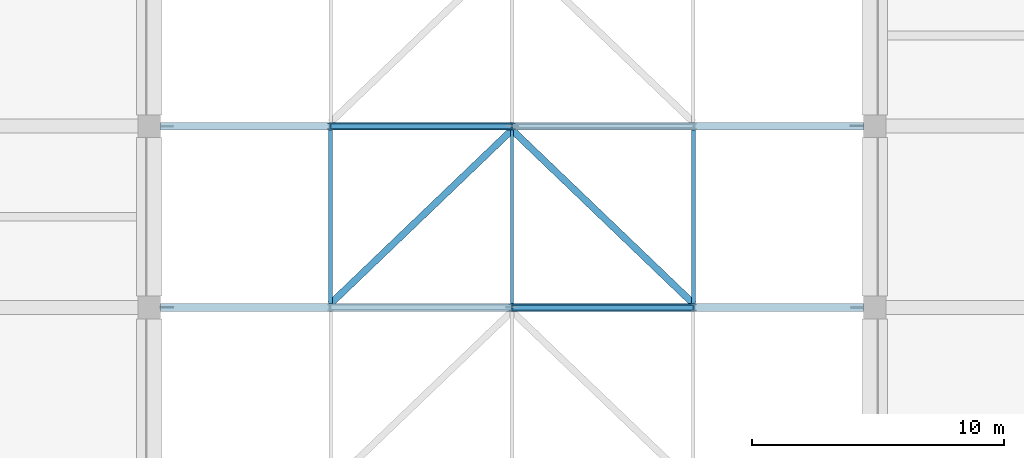
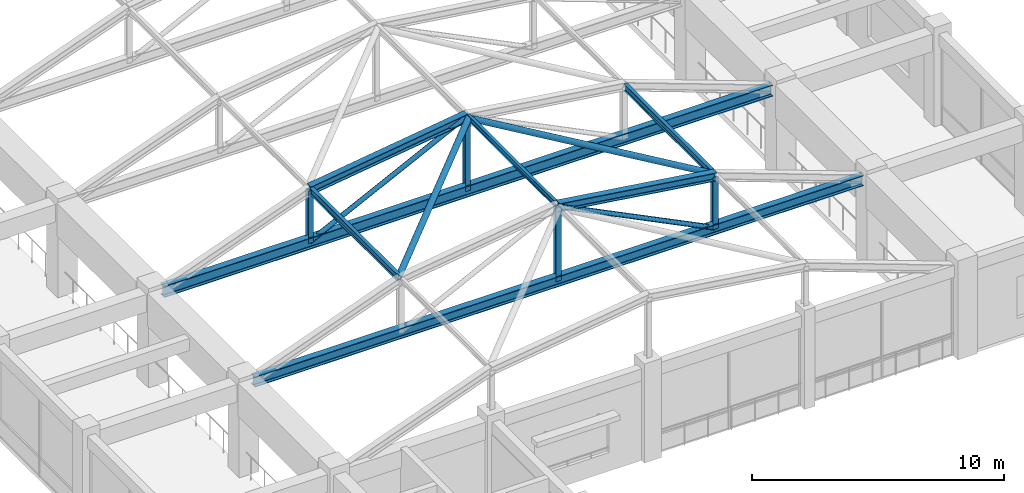
# One storey, part 37 of 75: 13 members, 2 beams.
"""IFC4 building model written with IfcOpenShell, lengths in metres."""

from ifc_helpers import new_model, si_unit, direction, frame, origin, origin_2d, place, context, subcontext, project, spatial, hollow_circle, i_section, extrude, material, material_profile, profile_set, type_object, element, save


model = new_model("IFC4")

# Units and contexts
model_context = context("Model", 3, precision=1e-05, world=origin(), true_north=direction((0.0, 1.0)))
body_context = subcontext(model_context, "Body", "Model", "MODEL_VIEW")
ifc_project = project(units=[si_unit("LENGTHUNIT", "METRE"), si_unit("AREAUNIT", "SQUARE_METRE"), si_unit("VOLUMEUNIT", "CUBIC_METRE"), si_unit("PLANEANGLEUNIT", "RADIAN"), si_unit("MASSUNIT", "GRAM", prefix="KILO")], contexts=[model_context])

# Site, building, storey
site_placement = place(None, origin())
site = spatial("IfcSite", under=ifc_project, at=site_placement, CompositionType="ELEMENT")
building_placement = place(site_placement, origin())
building = spatial("IfcBuilding", under=site, at=building_placement, Name="Cendaluz Park School", CompositionType="ELEMENT")
storey_placement = place(building_placement, frame((0.0, 0.0, 4.800048828125)))
storey = spatial("IfcBuildingStorey", under=building, at=storey_placement, Name="L01", CompositionType="ELEMENT", Elevation=4.800048828125)

# Beams
ifc_material = material(Name="Steel S355", Category="steel")
ifc_material_profile_1 = material_profile(ifc_material, i_section(OverallWidth=0.300048828125, OverallDepth=0.5, WebThickness=0.014892578125, FlangeThickness=0.028076171875, FilletRadius=0.027099609375, at=origin_2d()), Name="HEB 500", Category="steel")
ifc_profile_set_1 = profile_set([ifc_material_profile_1], Name="Steel S355")
beam_type_1 = type_object("IfcBeamType", Name="BM-ST01", PredefinedType="BEAM", material=ifc_profile_set_1)
beam_1_placement = place(storey_placement, frame((137.25, 64.800048828125, 4.14990234375), z_axis=(1.0, 0.0, 0.0), x_axis=(0.0, 1.0, 0.0)))
element("IfcBeam", 1, at=beam_1_placement, inside=storey, type_object=beam_type_1, Name="BM-L01-BMST01-0530", PredefinedType="BEAM", context=body_context, shape_type="SweptSolid", body=[
    extrude(i_section(OverallWidth=0.300048828125, OverallDepth=0.5, WebThickness=0.014892578125, FlangeThickness=0.028076171875, FilletRadius=0.027099609375, at=origin_2d()), origin(), (0.0, 0.0, 1.0), 27.89990234375),
])
ifc_material_profile_2 = material_profile(ifc_material, i_section(OverallWidth=0.300048828125, OverallDepth=0.550048828125, WebThickness=0.014892578125, FlangeThickness=0.029052734375, FilletRadius=0.027099609375, at=origin_2d()), Name="HEB 550", Category="steel")
ifc_profile_set_2 = profile_set([ifc_material_profile_2], Name="Steel S355")
beam_type_2 = type_object("IfcBeamType", Name="BM-ST11", PredefinedType="BEAM", material=ifc_profile_set_2)
beam_2_placement = place(storey_placement, frame((137.25, 72.0, 4.14990234375), z_axis=(1.0, 0.0, 0.0), x_axis=(0.0, 1.0, 0.0)))
element("IfcBeam", 2, at=beam_2_placement, inside=storey, type_object=beam_type_2, Name="BM-L01-BMST11-0531", PredefinedType="BEAM", context=body_context, shape_type="SweptSolid", body=[
    extrude(i_section(OverallWidth=0.300048828125, OverallDepth=0.550048828125, WebThickness=0.014892578125, FlangeThickness=0.029052734375, FilletRadius=0.027099609375, at=origin_2d()), origin(), (0.0, 0.0, 1.0), 27.89990234375),
])

# Members
ifc_material_profile_3 = material_profile(ifc_material, i_section(OverallWidth=0.300048828125, OverallDepth=0.39990234375, WebThickness=0.013916015625, FlangeThickness=0.02392578125, FilletRadius=0.027099609375, at=origin_2d()), Name="HEB 400", Category="steel")
ifc_profile_set_3 = profile_set([ifc_material_profile_3], Name="Steel S355")
member_type_1 = type_object("IfcMemberType", Name="MB-CH01", PredefinedType="CHORD", material=ifc_profile_set_3)
for number, where, z_axis, x_axis, name in (
    (3, (151.199951171875, 64.800048828125, 7.7099609375), (0.990113333567, 0.0, -0.140269692708), (0.0, 1.0, 0.0), "MB-L01-MBCH01-0097"),
    (4, (144.0, 72.0, 6.68994140625), (0.990113333567, 0.0, 0.140269692708), (0.0, 1.0, 0.0), "MB-L01-MBCH01-0105"),
):
    element("IfcMember", number, at=place(storey_placement, frame(where, z_axis=z_axis, x_axis=x_axis)), inside=storey, type_object=member_type_1, Name=name, PredefinedType="CHORD", context=body_context, shape_type="SweptSolid", body=[
        extrude(i_section(OverallWidth=0.300048828125, OverallDepth=0.39990234375, WebThickness=0.013916015625, FlangeThickness=0.02392578125, FilletRadius=0.027099609375, at=origin_2d()), origin(), (0.0, 0.0, 1.0), 7.271728515625),
    ])
ifc_material_profile_4 = material_profile(ifc_material, i_section(OverallWidth=0.135009765625, OverallDepth=0.27001953125, WebThickness=0.007080078125, FlangeThickness=0.010009765625, FilletRadius=0.014892578125, at=origin_2d()), Name="IPE 270", Category="steel")
ifc_profile_set_4 = profile_set([ifc_material_profile_4], Name="Steel S355")
member_type_2 = type_object("IfcMemberType", Name="MB-PR01", PredefinedType="PURLIN", material=ifc_profile_set_4)
member_1_placement = place(storey_placement, frame((151.199951171875, 64.949951171875, 7.764892578125), z_axis=(0.0, 1.0, 0.0), x_axis=(-1.0, 0.0, 0.0)))
element("IfcMember", 5, at=member_1_placement, inside=storey, type_object=member_type_2, Name="MB-L01-MBPR01-0153", PredefinedType="PURLIN", context=body_context, shape_type="SweptSolid", body=[
    extrude(i_section(OverallWidth=0.135009765625, OverallDepth=0.27001953125, WebThickness=0.007080078125, FlangeThickness=0.010009765625, FilletRadius=0.014892578125, at=origin_2d()), origin(), (0.0, 0.0, 1.0), 6.900146484375),
])
ifc_material_profile_5 = material_profile(ifc_material, i_section(OverallWidth=0.159912109375, OverallDepth=0.330078125, WebThickness=0.008056640625, FlangeThickness=0.011962890625, FilletRadius=0.01806640625, at=origin_2d()), Name="IPE 330", Category="steel")
ifc_profile_set_5 = profile_set([ifc_material_profile_5], Name="Steel S355")
member_type_3 = type_object("IfcMemberType", Name="MB-PR02", PredefinedType="PURLIN", material=ifc_profile_set_5)
for number, where, z_axis, x_axis, name in (
    (6, (144.0, 64.949951171875, 6.704833984375), (0.0, 1.0, 0.0), (-1.0, 0.0, 0.0), "MB-L01-MBPR02-0152"),
    (7, (158.39990234375, 64.949951171875, 6.704833984375), (0.0, 1.0, 0.0), (-1.0, 0.0, 0.0), "MB-L01-MBPR02-0154"),
):
    element("IfcMember", number, at=place(storey_placement, frame(where, z_axis=z_axis, x_axis=x_axis)), inside=storey, type_object=member_type_3, Name=name, PredefinedType="PURLIN", context=body_context, shape_type="SweptSolid", body=[
        extrude(i_section(OverallWidth=0.159912109375, OverallDepth=0.330078125, WebThickness=0.008056640625, FlangeThickness=0.011962890625, FilletRadius=0.01806640625, at=origin_2d()), origin(), (0.0, 0.0, 1.0), 6.900146484375),
    ])
ifc_material_profile_6 = material_profile(ifc_material, hollow_circle(Radius=0.136474609375, WallThickness=0.011962890625, at=origin_2d()), Name="CHS 273x12", Category="steel")
ifc_profile_set_6 = profile_set([ifc_material_profile_6], Name="Steel S355")
member_type_4 = type_object("IfcMemberType", Name="MBR-01", PredefinedType="BRACE", material=ifc_profile_set_6)
for number, where, z_axis, x_axis, name in (
    (8, (144.0, 64.949951171875, 6.68994140625), (0.718231302195, 0.688324278387, 0.101752072855), (-0.691915465865, 0.721978523293, 0.0), "MB-L01-MBBR01-0155"),
    (9, (158.39990234375, 64.949951171875, 6.68994140625), (-0.718231302195, 0.688324278387, 0.101752072855), (-0.691915465865, -0.721978523293, 0.0), "MB-L01-MBBR01-0156"),
):
    element("IfcMember", number, at=place(storey_placement, frame(where, z_axis=z_axis, x_axis=x_axis)), inside=storey, type_object=member_type_4, Name=name, PredefinedType="BRACE", context=body_context, shape_type="SweptSolid", body=[
        extrude(hollow_circle(Radius=0.136474609375, WallThickness=0.011962890625, at=origin_2d()), origin(), (0.0, 0.0, 1.0), 10.024658203125),
    ])
ifc_material_profile_7 = material_profile(ifc_material, hollow_circle(Radius=0.109619140625, WallThickness=0.010009765625, at=origin_2d()), Name="CHS 219x10", Category="steel")
ifc_profile_set_7 = profile_set([ifc_material_profile_7], Name="Steel S355")
member_type_5 = type_object("IfcMemberType", Name="MBR-02", PredefinedType="BRACE", material=ifc_profile_set_7)
for number, where, z_axis, x_axis, name in (
    (10, (158.39990234375, 64.800048828125, 4.14990234375), (-0.896406248188, 0.0, 0.443233390224), (0.0, -1.0, 0.0), "MB-L01-MBBR02-0103"),
    (11, (144.0, 72.0, 4.14990234375), (0.896406248188, 0.0, 0.443233390224), (0.0, 1.0, 0.0), "MB-L01-MBBR02-0111"),
):
    element("IfcMember", number, at=place(storey_placement, frame(where, z_axis=z_axis, x_axis=x_axis)), inside=storey, type_object=member_type_5, Name=name, PredefinedType="BRACE", context=body_context, shape_type="SweptSolid", body=[
        extrude(hollow_circle(Radius=0.109619140625, WallThickness=0.010009765625, at=origin_2d()), origin(), (0.0, 0.0, 1.0), 8.031982421875),
    ])
ifc_material_profile_8 = material_profile(ifc_material, i_section(OverallWidth=0.239990234375, OverallDepth=0.22998046875, WebThickness=0.008056640625, FlangeThickness=0.011962890625, FilletRadius=0.02099609375, at=origin_2d()), Name="HEA 240", Category="steel")
ifc_profile_set_8 = profile_set([ifc_material_profile_8], Name="Steel S355")
member_type_6 = type_object("IfcMemberType", Name="MST-01", PredefinedType="STRUT", material=ifc_profile_set_8)
member_2_placement = place(storey_placement, frame((151.199951171875, 64.800048828125, 4.14990234375), z_axis=(0.0, 0.0, 1.0), x_axis=(1.0, 0.0, 0.0)))
element("IfcMember", 12, at=member_2_placement, inside=storey, type_object=member_type_6, Name="MB-L01-MBST01-0100", PredefinedType="STRUT", context=body_context, shape_type="SweptSolid", body=[
    extrude(i_section(OverallWidth=0.239990234375, OverallDepth=0.22998046875, WebThickness=0.008056640625, FlangeThickness=0.011962890625, FilletRadius=0.02099609375, at=origin_2d()), origin(), (0.0, 0.0, 1.0), 3.56005859375),
])
for number, where, z_axis, x_axis, name in (
    (13, (158.39990234375, 64.800048828125, 4.14990234375), (0.0, 0.0, 1.0), (1.0, 0.0, 0.0), "MB-L01-MBST01-0101"),
    (14, (144.0, 72.0, 4.14990234375), (0.0, 0.0, 1.0), (1.0, 0.0, 0.0), "MB-L01-MBST01-0108"),
):
    element("IfcMember", number, at=place(storey_placement, frame(where, z_axis=z_axis, x_axis=x_axis)), inside=storey, type_object=member_type_6, Name=name, PredefinedType="STRUT", context=body_context, shape_type="SweptSolid", body=[
        extrude(i_section(OverallWidth=0.239990234375, OverallDepth=0.22998046875, WebThickness=0.008056640625, FlangeThickness=0.011962890625, FilletRadius=0.02099609375, at=origin_2d()), origin(), (0.0, 0.0, 1.0), 2.5400390625),
    ])
member_3_placement = place(storey_placement, frame((151.199951171875, 72.0, 4.14990234375), z_axis=(0.0, 0.0, 1.0), x_axis=(1.0, 0.0, 0.0)))
element("IfcMember", 15, at=member_3_placement, inside=storey, type_object=member_type_6, Name="MB-L01-MBST01-0109", PredefinedType="STRUT", context=body_context, shape_type="SweptSolid", body=[
    extrude(i_section(OverallWidth=0.239990234375, OverallDepth=0.22998046875, WebThickness=0.008056640625, FlangeThickness=0.011962890625, FilletRadius=0.02099609375, at=origin_2d()), origin(), (0.0, 0.0, 1.0), 3.56005859375),
])

save(model, "model.ifc")
